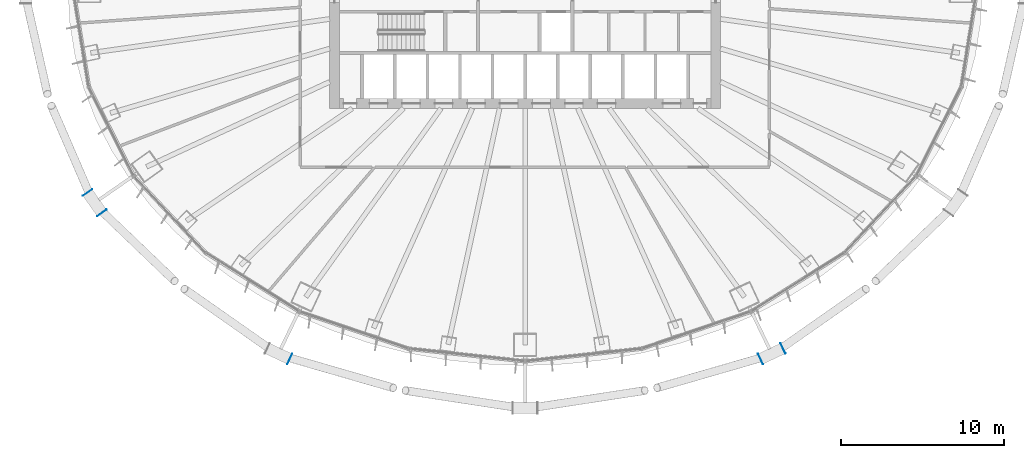
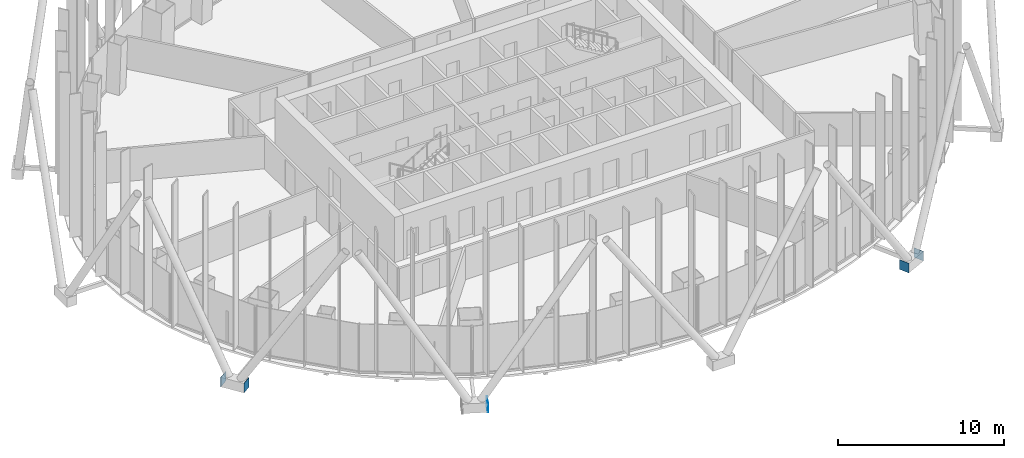
# One storey, part 11 of 22: 5 discrete accessories.
"""IFC4 building model written with IfcOpenShell, lengths in metres."""

from ifc_helpers import new_model, si_unit, direction, frame, origin, origin_2d, place, context, subcontext, project, spatial, rectangle, extrude, material, layer, layer_set, type_object, element, save


model = new_model("IFC4")

# Units and contexts
model_context = context("Model", 3, precision=1e-05, world=origin(), true_north=direction((0.0, 1.0)))
body_context = subcontext(model_context, "Body", "Model", "MODEL_VIEW")
ifc_project = project(units=[si_unit("LENGTHUNIT", "METRE"), si_unit("AREAUNIT", "SQUARE_METRE"), si_unit("VOLUMEUNIT", "CUBIC_METRE"), si_unit("PLANEANGLEUNIT", "RADIAN"), si_unit("MASSUNIT", "GRAM", prefix="KILO")], contexts=[model_context])

# Site, building, storey
site_placement = place(None, origin())
site = spatial("IfcSite", under=ifc_project, at=site_placement, CompositionType="ELEMENT")
building_placement = place(site_placement, origin())
building = spatial("IfcBuilding", under=site, at=building_placement, Name="Siaravel Broadcast Tower", CompositionType="ELEMENT")
storey_placement = place(building_placement, frame((0.0, 0.0, 48.199951171875)))
storey = spatial("IfcBuildingStorey", under=building, at=storey_placement, Name="L10", CompositionType="ELEMENT", Elevation=48.199951171875)

# Discrete accessories
ifc_material = material(Name="Steel S355", Category="steel")
ifc_layer = layer(ifc_material, 0.02001953125)
ifc_layer_set = layer_set([ifc_layer], Name="Steel S355")
discrete_accessory_type = type_object("IfcDiscreteAccessoryType", Name="Steel end plate 20 mm", PredefinedType="USERDEFINED", material=ifc_layer_set)
for number, where, z_axis, x_axis, name in (
    (1, (-25.9912109375, -13.61669921875, -0.5498046875), (0.0, 0.0, 1.0), (0.576118513, -0.817366172, 0.0), "End plate R05 station 42A"),
    (2, (-26.870849609375, -12.36865234375, -0.5498046875), (0.0, 0.0, 1.0), (0.576118513, -0.817366172, 0.0), "End plate R05 station 42B"),
    (3, (-14.45458984375, -22.586181640625, -0.5498046875), (0.0, 0.0, 1.0), (0.904006456, -0.427518805, 0.0), "End plate R05 station 48A"),
    (4, (15.834716796875, -21.933349609375, -0.5498046875), (0.0, 0.0, 1.0), (0.904006456, 0.427518805, 0.0), "End plate R05 station 60A"),
    (5, (14.45458984375, -22.586181640625, -0.5498046875), (0.0, 0.0, 1.0), (0.904006456, 0.427518805, 0.0), "End plate R05 station 60B"),
):
    element("IfcDiscreteAccessory", number, at=place(storey_placement, frame(where, z_axis=z_axis, x_axis=x_axis)), inside=storey, type_object=discrete_accessory_type, Name=name, ObjectType="END PLATE", PredefinedType="USERDEFINED", context=body_context, shape_type="SweptSolid", body=[
        extrude(rectangle(XDim=0.02001953125, YDim=0.699951171875, at=origin_2d()), origin(), (0.0, 0.0, 1.0), 0.699951171875),
    ])

save(model, "model.ifc")
